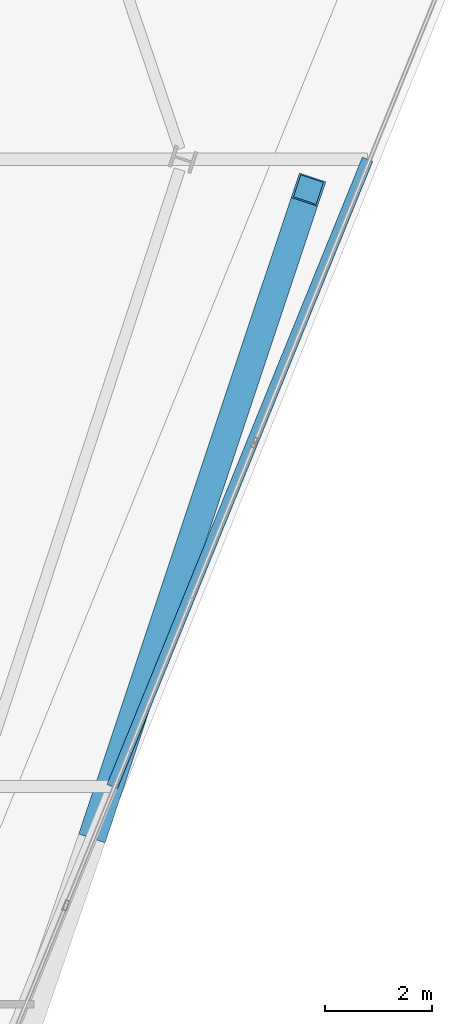
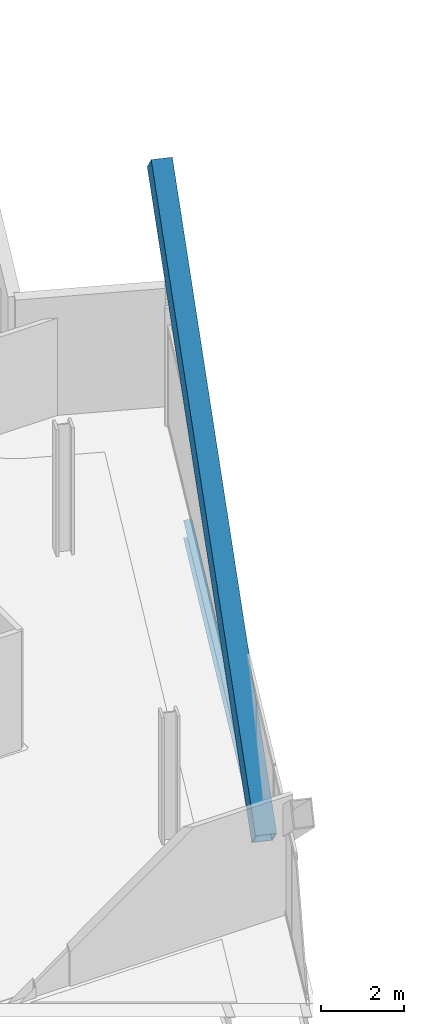
# One storey, part 14 of 31: 1 beam, 1 member.
"""IFC4 building model written with IfcOpenShell, lengths in metres."""

from ifc_helpers import new_model, si_unit, direction, frame, origin, origin_2d, place, context, subcontext, project, spatial, hollow_rectangle, i_section, extrude, material, material_profile, profile_set, type_object, element, save


model = new_model("IFC4")

# Units and contexts
model_context = context("Model", 3, precision=1e-05, world=origin(), true_north=direction((0.0, 1.0)))
body_context = subcontext(model_context, "Body", "Model", "MODEL_VIEW")
ifc_project = project(units=[si_unit("LENGTHUNIT", "METRE"), si_unit("AREAUNIT", "SQUARE_METRE"), si_unit("VOLUMEUNIT", "CUBIC_METRE"), si_unit("PLANEANGLEUNIT", "RADIAN"), si_unit("MASSUNIT", "GRAM", prefix="KILO")], contexts=[model_context])

# Site, building, storey
site_placement = place(None, origin())
site = spatial("IfcSite", under=ifc_project, at=site_placement, CompositionType="ELEMENT")
building_placement = place(site_placement, origin())
building = spatial("IfcBuilding", under=site, at=building_placement, Name="Haldenkirk Collegiate Tower", CompositionType="ELEMENT")
storey_placement = place(building_placement, frame((0.0, 0.0, 256.199951171875)))
storey = spatial("IfcBuildingStorey", under=building, at=storey_placement, Name="L64", CompositionType="ELEMENT", Elevation=256.199951171875)

# Beam
ifc_material_1 = material(Name="Steel ASTM A992 Grade 50", Category="steel")
ifc_material_profile_1 = material_profile(ifc_material_1, i_section(OverallWidth=0.2099609375, OverallDepth=0.537109375, WebThickness=0.010986328125, FlangeThickness=0.017333984375, at=origin_2d()), Name="W21X68")
ifc_profile_set_1 = profile_set([ifc_material_profile_1], Name="Steel ASTM A992 Grade 50")
beam_type = type_object("IfcBeamType", Name="BM-SPANDREL-W21X68", PredefinedType="SPANDREL", material=ifc_profile_set_1)
beam_placement = place(storey_placement, frame((57.999755859375, 19.624267578125, -0.538330078125), z_axis=(0.377031248918, 0.926200538404, 0.0), x_axis=(-0.926200538404, 0.377031248918, 0.0)))
element("IfcBeam", 1, at=beam_placement, inside=storey, type_object=beam_type, Name="L64 outer facade edge beam 1B", PredefinedType="SPANDREL", context=body_context, shape_type="SweptSolid", body=[
    extrude(i_section(OverallWidth=0.2099609375, OverallDepth=0.537109375, WebThickness=0.010986328125, FlangeThickness=0.017333984375, at=origin_2d()), origin(), (0.0, 0.0, 1.0), 12.6708984375),
])

# Member
ifc_material_2 = material(Name="Steel ASTM A572 Grade 50", Category="steel")
ifc_material_profile_2 = material_profile(ifc_material_2, hollow_rectangle(XDim=0.52001953125, YDim=0.719970703125, WallThickness=0.035888671875, at=origin_2d()), Name="BOX720X520X36")
ifc_profile_set_2 = profile_set([ifc_material_profile_2], Name="Steel ASTM A572 Grade 50")
member_type = type_object("IfcMemberType", Name="MBR-MEGABRACE-BOX720X520X36", PredefinedType="BRACE", material=ifc_profile_set_2)
member_placement = place(storey_placement, frame((57.697509765625, 18.882080078125, -0.280029296875), z_axis=(0.23572555439, 0.706467039028, 0.667336336321), x_axis=(-0.948587972278, 0.316513599786, 0.0)))
element("IfcMember", 2, at=member_placement, inside=storey, type_object=member_type, Name="Perimeter Mega Brace Z5 L64-L66 SR", PredefinedType="BRACE", context=body_context, shape_type="SweptSolid", body=[
    extrude(hollow_rectangle(XDim=0.52001953125, YDim=0.719970703125, WallThickness=0.035888671875, at=origin_2d()), origin(), (0.0, 0.0, 1.0), 16.858154296875),
])

save(model, "model.ifc")
